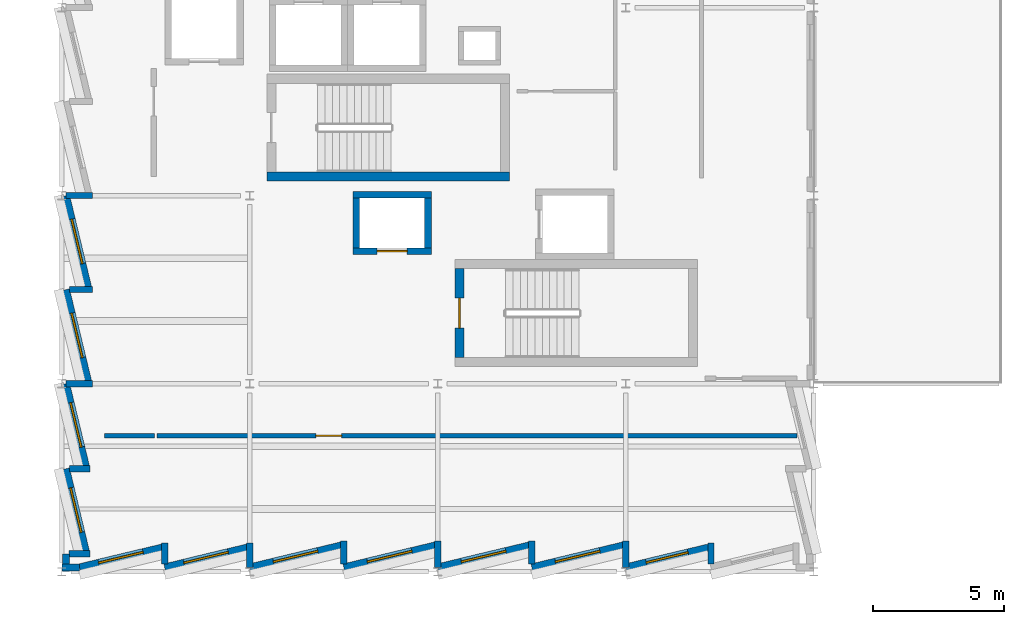
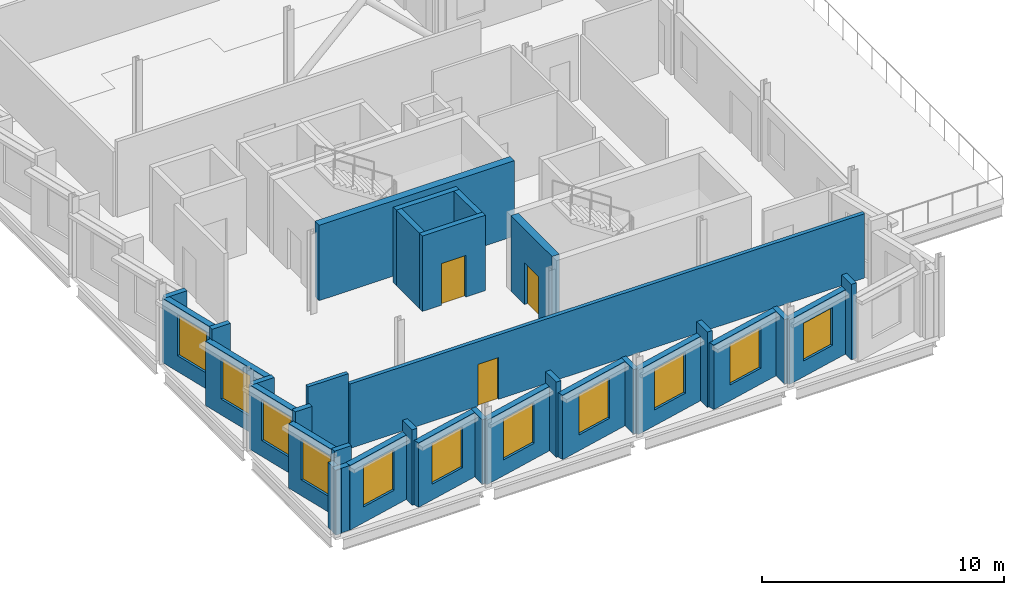
# One storey, part 12 of 18: 33 walls, 11 windows, 3 doors, 14 openings.
"""IFC4 building model written with IfcOpenShell, lengths in metres."""

from ifc_helpers import new_model, si_unit, direction, frame, frame_2d, origin, place, context, subcontext, project, spatial, rectangle, extrude, material, layer, layer_set, type_object, element, fill, save


model = new_model("IFC4")

# Units and contexts
model_context = context("Model", 3, precision=1e-05, world=origin(), true_north=direction((0.0, 1.0)))
body_context = subcontext(model_context, "Body", "Model", "MODEL_VIEW")
ifc_project = project(units=[si_unit("LENGTHUNIT", "METRE"), si_unit("AREAUNIT", "SQUARE_METRE"), si_unit("VOLUMEUNIT", "CUBIC_METRE"), si_unit("PLANEANGLEUNIT", "RADIAN"), si_unit("MASSUNIT", "GRAM", prefix="KILO")], contexts=[model_context])

# Site, building, storey
site_placement = place(None, origin())
site = spatial("IfcSite", under=ifc_project, at=site_placement, CompositionType="ELEMENT")
building_placement = place(site_placement, origin())
building = spatial("IfcBuilding", under=site, at=building_placement, Name="Kalmorath City Hall", CompositionType="ELEMENT")
storey_placement = place(building_placement, frame((0.0, 0.0, 27.0)))
storey = spatial("IfcBuildingStorey", under=building, at=storey_placement, Name="L06", CompositionType="ELEMENT", Elevation=27.0)

# Wall
ifc_material_1 = material(Name="Concrete C50/60", Category="concrete")
ifc_layer_1 = layer(ifc_material_1, 0.35009765625)
ifc_layer_set_1 = layer_set([ifc_layer_1], Name="Concrete C50/60")
wall_type_1 = type_object("IfcWallType", Name="Concrete core shear wall 350", PredefinedType="SHEAR", material=ifc_layer_set_1)
wall_1_placement = place(storey_placement, frame((7.85009765625, 15.125, 0.0), z_axis=(0.0, 0.0, 1.0), x_axis=(1.0, 0.0, 0.0)))
element("IfcWall", 1, at=wall_1_placement, inside=storey, type_object=wall_type_1, Name="L06 C1 stair core shear wall S", PredefinedType="SHEAR", context=body_context, shape_type="SweptSolid", body=[
    extrude(rectangle(XDim=9.2998046875, YDim=0.35009765625, at=frame_2d((4.64990234375, 0.0))), origin(), (0.0, 0.0, 1.0), 3.800048828125),
])

# Wall, opening, door
wall_2_placement = place(storey_placement, frame((15.22509765625, 11.60009765625, 0.0), z_axis=(0.0, 0.0, 1.0), x_axis=(0.0, -1.0, 0.0)))
wall_2 = element("IfcWall", 2, at=wall_2_placement, inside=storey, type_object=wall_type_1, Name="L06 C2 stair core shear wall W", PredefinedType="SHEAR", context=body_context, shape_type="SweptSolid", body=[
    extrude(rectangle(XDim=3.400146484375, YDim=0.35009765625, at=frame_2d((1.7001953125, 0.0))), origin(), (0.0, 0.0, 1.0), 3.800048828125),
])
opening_1_placement = place(wall_2_placement, frame((1.125, 0.0, 0.0)))
opening_1 = element("IfcOpeningElement", 3, at=opening_1_placement, cuts=wall_2, Name="Opening D-L06-044", PredefinedType="OPENING", context=body_context, shape_type="SweptSolid", body=[
    extrude(rectangle(XDim=1.14990234375, YDim=2.10009765625, at=frame_2d((0.574951171875, 1.050048828125))), frame((0.0, 0.18505859375, 0.0), z_axis=(0.0, -1.0, 0.0), x_axis=(1.0, 0.0, 0.0)), (0.0, 0.0, 1.0), 0.3701171875),
])
ifc_material_2 = material(Name="Galvanised steel fire door", Category="steel")
door_type_1 = type_object("IfcDoorType", Name="Stair enclosure 90-min fire door 1150x2100", OperationType="NOTDEFINED", PredefinedType="DOOR", material=ifc_material_2)
door_1_placement = place(opening_1_placement, frame((1.14990234375, 0.0, 0.0), z_axis=(0.0, 0.0, 1.0), x_axis=(-1.0, 0.0, 0.0)))
door_1 = element("IfcDoor", 4, at=door_1_placement, inside=storey, type_object=door_type_1, Name="L06 door D-L06-044", OperationType="SINGLE_SWING_RIGHT", OverallHeight=2.10009765625, OverallWidth=1.14990234375, PredefinedType="DOOR", context=body_context, shape_type="SweptSolid", body=[
    extrude(rectangle(XDim=1.14990234375, YDim=2.10009765625, at=frame_2d((0.574951171875, 1.050048828125))), frame((0.0, 0.02490234375, 0.0), z_axis=(0.0, -1.0, 0.0), x_axis=(1.0, 0.0, 0.0)), (0.0, 0.0, 1.0), 0.050048828125),
])
fill(opening_1, door_1)

ifc_material_3 = material(Name="Concrete C50/60", Category="concrete")
ifc_layer_2 = layer(ifc_material_3, 0.25)
ifc_layer_set_2 = layer_set([ifc_layer_2], Name="Concrete C50/60")
wall_type_2 = type_object("IfcWallType", Name="Concrete lift shaft wall 250", PredefinedType="SHEAR", material=ifc_layer_set_2)
wall_3_placement = place(storey_placement, frame((11.14990234375, 12.27490234375, 0.0), z_axis=(0.0, 0.0, 1.0), x_axis=(1.0, 0.0, 0.0)))
wall_3 = element("IfcWall", 5, at=wall_3_placement, inside=storey, type_object=wall_type_2, Name="L06 FL2 lift shaft wall -y", PredefinedType="SHEAR", context=body_context, shape_type="SweptSolid", body=[
    extrude(rectangle(XDim=3.0, YDim=0.25, at=frame_2d((1.5, 0.0))), origin(), (0.0, 0.0, 1.0), 3.800048828125),
])
opening_2_placement = place(wall_3_placement, frame((0.925048828125, 0.0, 0.0)))
opening_2 = element("IfcOpeningElement", 6, at=opening_2_placement, cuts=wall_3, Name="Opening LD-053", PredefinedType="OPENING", context=body_context, shape_type="SweptSolid", body=[
    extrude(rectangle(XDim=1.14990234375, YDim=2.10009765625, at=frame_2d((0.574951171875, 1.050048828125))), frame((0.0, 0.135009765625, 0.0), z_axis=(0.0, -1.0, 0.0), x_axis=(1.0, 0.0, 0.0)), (0.0, 0.0, 1.0), 0.27001953125),
])
ifc_material_4 = material(Name="Stainless steel sliding landing door", Category="steel")
door_type_2 = type_object("IfcDoorType", Name="Firefighting lift sliding landing door 1150x2100", OperationType="SLIDING_TO_RIGHT", PredefinedType="DOOR", material=ifc_material_4)
door_2_placement = place(opening_2_placement, origin())
door_2 = element("IfcDoor", 7, at=door_2_placement, inside=storey, type_object=door_type_2, Name="L06 door LD-053", OperationType="SLIDING_TO_RIGHT", OverallHeight=2.10009765625, OverallWidth=1.14990234375, PredefinedType="DOOR", context=body_context, shape_type="SweptSolid", body=[
    extrude(rectangle(XDim=1.14990234375, YDim=2.10009765625, at=frame_2d((0.574951171875, 1.050048828125))), frame((0.0, 0.02490234375, 0.0), z_axis=(0.0, -1.0, 0.0), x_axis=(1.0, 0.0, 0.0)), (0.0, 0.0, 1.0), 0.050048828125),
])
fill(opening_2, door_2)

# Walls
wall_4_placement = place(storey_placement, frame((14.14990234375, 14.425048828125, 0.0), z_axis=(0.0, 0.0, 1.0), x_axis=(-1.0, 0.0, 0.0)))
element("IfcWall", 8, at=wall_4_placement, inside=storey, type_object=wall_type_2, Name="L06 FL2 lift shaft wall +y", PredefinedType="SHEAR", context=body_context, shape_type="SweptSolid", body=[
    extrude(rectangle(XDim=3.0, YDim=0.25, at=frame_2d((1.5, 0.0))), origin(), (0.0, 0.0, 1.0), 3.800048828125),
])
for number, where, z_axis, x_axis, name in (
    (9, (11.27490234375, 14.300048828125, 0.0), (0.0, 0.0, 1.0), (0.0, -1.0, 0.0), "L06 FL2 lift shaft wall -x"),
    (10, (14.02490234375, 12.39990234375, 0.0), (0.0, 0.0, 1.0), (0.0, 1.0, 0.0), "L06 FL2 lift shaft wall +x"),
):
    element("IfcWall", number, at=place(storey_placement, frame(where, z_axis=z_axis, x_axis=x_axis)), inside=storey, type_object=wall_type_2, Name=name, PredefinedType="SHEAR", context=body_context, shape_type="SweptSolid", body=[
        extrude(rectangle(XDim=1.900146484375, YDim=0.25, at=frame_2d((0.9501953125, 0.0))), origin(), (0.0, 0.0, 1.0), 3.800048828125),
    ])
ifc_material_5 = material(Name="Fire-rated acoustic gypsum partition")
ifc_layer_3 = layer(ifc_material_5, 0.179931640625)
ifc_layer_set_3 = layer_set([ifc_layer_3], Name="Fire-rated acoustic gypsum partition")
wall_type_3 = type_object("IfcWallType", Name="One-hour corridor fire partition 180", PredefinedType="PARTITIONING", material=ifc_layer_set_3)
wall_5_placement = place(storey_placement, frame((1.639892578125, 5.199951171875, 0.0), z_axis=(0.0, 0.0, 1.0), x_axis=(1.0, 0.0, 0.0)))
element("IfcWall", 11, at=wall_5_placement, inside=storey, type_object=wall_type_3, Name="L06 interior partition PW2 #184", PredefinedType="PARTITIONING", context=body_context, shape_type="SweptSolid", body=[
    extrude(rectangle(XDim=1.920166015625, YDim=0.179931640625, at=frame_2d((0.9599609375, 0.0))), origin(), (0.0, 0.0, 1.0), 3.800048828125),
])

# Wall, opening, door
wall_6_placement = place(storey_placement, frame((3.639892578125, 5.199951171875, 0.0), z_axis=(0.0, 0.0, 1.0), x_axis=(1.0, 0.0, 0.0)))
wall_6 = element("IfcWall", 12, at=wall_6_placement, inside=storey, type_object=wall_type_3, Name="L06 interior partition PW2 #191", PredefinedType="PARTITIONING", context=body_context, shape_type="SweptSolid", body=[
    extrude(rectangle(XDim=24.52001953125, YDim=0.179931640625, at=frame_2d((12.260009765625, 0.0))), origin(), (0.0, 0.0, 1.0), 3.24609375),
])
opening_3_placement = place(wall_6_placement, frame((6.094970703125, 0.0, 0.0)))
opening_3 = element("IfcOpeningElement", 13, at=opening_3_placement, cuts=wall_6, Name="Opening D-L06-261", PredefinedType="OPENING", context=body_context, shape_type="SweptSolid", body=[
    extrude(rectangle(XDim=0.97998046875, YDim=2.10009765625, at=frame_2d((0.489990234375, 1.050048828125))), frame((0.0, 0.099853515625, 0.0), z_axis=(0.0, -1.0, 0.0), x_axis=(1.0, 0.0, 0.0)), (0.0, 0.0, 1.0), 0.199951171875),
])
ifc_material_6 = material(Name="Hardwood veneer door", Category="wood")
door_type_3 = type_object("IfcDoorType", Name="Municipal suite single door 980x2100", OperationType="NOTDEFINED", PredefinedType="DOOR", material=ifc_material_6)
door_3_placement = place(opening_3_placement, origin())
door_3 = element("IfcDoor", 14, at=door_3_placement, inside=storey, type_object=door_type_3, Name="L06 door D-L06-261", OperationType="SINGLE_SWING_LEFT", OverallHeight=2.10009765625, OverallWidth=0.97998046875, PredefinedType="DOOR", context=body_context, shape_type="SweptSolid", body=[
    extrude(rectangle(XDim=0.97998046875, YDim=2.10009765625, at=frame_2d((0.489990234375, 1.050048828125))), frame((0.0, 0.02490234375, 0.0), z_axis=(0.0, -1.0, 0.0), x_axis=(1.0, 0.0, 0.0)), (0.0, 0.0, 1.0), 0.050048828125),
])
fill(opening_3, door_3)

# Walls
ifc_material_7 = material(Name="Precast concrete C40/50", Category="concrete")
ifc_layer_4 = layer(ifc_material_7, 0.239990234375)
ifc_layer_set_4 = layer_set([ifc_layer_4], Name="Precast concrete C40/50")
wall_type_4 = type_object("IfcWallType", Name="Precast sawtooth cheek wall 240", PredefinedType="SOLIDWALL", material=ifc_layer_set_4)
wall_7_placement = place(storey_placement, frame((3.93994140625, 1.087646484375, 0.0), z_axis=(0.0, 0.0, 1.0), x_axis=(0.0, -1.0, 0.0)))
element("IfcWall", 15, at=wall_7_placement, inside=storey, type_object=wall_type_4, Name="L06 sawtooth return cheek #961", PredefinedType="SOLIDWALL", context=body_context, shape_type="SweptSolid", body=[
    extrude(rectangle(XDim=0.795654296875, YDim=0.239990234375, at=frame_2d((0.39794921875, 0.0))), origin(), (0.0, 0.0, 1.0), 3.800048828125),
])
wall_8_placement = place(storey_placement, frame((7.199951171875, 1.087646484375, 0.0), z_axis=(0.0, 0.0, 1.0), x_axis=(0.0, -1.0, 0.0)))
element("IfcWall", 16, at=wall_8_placement, inside=storey, type_object=wall_type_4, Name="L06 sawtooth return cheek #963", PredefinedType="SOLIDWALL", context=body_context, shape_type="SweptSolid", body=[
    extrude(rectangle(XDim=0.931640625, YDim=0.239990234375, at=frame_2d((0.4658203125, 0.0))), origin(), (0.0, 0.0, 1.0), 3.24609375),
])
wall_9_placement = place(storey_placement, frame((10.800048828125, 1.169189453125, 0.0), z_axis=(0.0, 0.0, 1.0), x_axis=(0.0, -1.0, 0.0)))
element("IfcWall", 17, at=wall_9_placement, inside=storey, type_object=wall_type_4, Name="L06 sawtooth return cheek #965", PredefinedType="SOLIDWALL", context=body_context, shape_type="SweptSolid", body=[
    extrude(rectangle(XDim=0.877197265625, YDim=0.239990234375, at=frame_2d((0.4384765625, 0.0))), origin(), (0.0, 0.0, 1.0), 3.800048828125),
])
wall_10_placement = place(storey_placement, frame((14.39990234375, 1.169189453125, 0.0), z_axis=(0.0, 0.0, 1.0), x_axis=(0.0, -1.0, 0.0)))
element("IfcWall", 18, at=wall_10_placement, inside=storey, type_object=wall_type_4, Name="L06 sawtooth return cheek #967", PredefinedType="SOLIDWALL", context=body_context, shape_type="SweptSolid", body=[
    extrude(rectangle(XDim=1.01318359375, YDim=0.239990234375, at=frame_2d((0.506591796875, 0.0))), origin(), (0.0, 0.0, 1.0), 3.24609375),
])
wall_11_placement = place(storey_placement, frame((18.0, 1.169189453125, 0.0), z_axis=(0.0, 0.0, 1.0), x_axis=(0.0, -1.0, 0.0)))
element("IfcWall", 19, at=wall_11_placement, inside=storey, type_object=wall_type_4, Name="L06 sawtooth return cheek #969", PredefinedType="SOLIDWALL", context=body_context, shape_type="SweptSolid", body=[
    extrude(rectangle(XDim=0.877197265625, YDim=0.239990234375, at=frame_2d((0.4384765625, 0.0))), origin(), (0.0, 0.0, 1.0), 3.800048828125),
])
wall_12_placement = place(storey_placement, frame((21.60009765625, 1.169189453125, 0.0), z_axis=(0.0, 0.0, 1.0), x_axis=(0.0, -1.0, 0.0)))
element("IfcWall", 20, at=wall_12_placement, inside=storey, type_object=wall_type_4, Name="L06 sawtooth return cheek #971", PredefinedType="SOLIDWALL", context=body_context, shape_type="SweptSolid", body=[
    extrude(rectangle(XDim=1.01318359375, YDim=0.239990234375, at=frame_2d((0.506591796875, 0.0))), origin(), (0.0, 0.0, 1.0), 3.24609375),
])
wall_13_placement = place(storey_placement, frame((24.860107421875, 1.087646484375, 0.0), z_axis=(0.0, 0.0, 1.0), x_axis=(0.0, -1.0, 0.0)))
element("IfcWall", 21, at=wall_13_placement, inside=storey, type_object=wall_type_4, Name="L06 sawtooth return cheek #974", PredefinedType="SOLIDWALL", context=body_context, shape_type="SweptSolid", body=[
    extrude(rectangle(XDim=0.795654296875, YDim=0.239990234375, at=frame_2d((0.39794921875, 0.0))), origin(), (0.0, 0.0, 1.0), 3.800048828125),
])
wall_14_placement = place(storey_placement, frame((1.169189453125, 14.39990234375, 0.0), z_axis=(0.0, 0.0, 1.0), x_axis=(-1.0, 0.0, 0.0)))
element("IfcWall", 22, at=wall_14_placement, inside=storey, type_object=wall_type_4, Name="L06 sawtooth return cheek #1038", PredefinedType="SOLIDWALL", context=body_context, shape_type="SweptSolid", body=[
    extrude(rectangle(XDim=1.0146484375, YDim=0.239990234375, at=frame_2d((0.50732421875, 0.0))), origin(), (0.0, 0.0, 1.0), 3.24609375),
])
wall_15_placement = place(storey_placement, frame((1.169189453125, 10.800048828125, 0.0), z_axis=(0.0, 0.0, 1.0), x_axis=(-1.0, 0.0, 0.0)))
element("IfcWall", 23, at=wall_15_placement, inside=storey, type_object=wall_type_4, Name="L06 sawtooth return cheek #1040", PredefinedType="SOLIDWALL", context=body_context, shape_type="SweptSolid", body=[
    extrude(rectangle(XDim=0.877197265625, YDim=0.239990234375, at=frame_2d((0.4384765625, 0.0))), origin(), (0.0, 0.0, 1.0), 3.800048828125),
])
wall_16_placement = place(storey_placement, frame((1.169189453125, 7.199951171875, 0.0), z_axis=(0.0, 0.0, 1.0), x_axis=(-1.0, 0.0, 0.0)))
element("IfcWall", 24, at=wall_16_placement, inside=storey, type_object=wall_type_4, Name="L06 sawtooth return cheek #1042", PredefinedType="SOLIDWALL", context=body_context, shape_type="SweptSolid", body=[
    extrude(rectangle(XDim=1.0146484375, YDim=0.239990234375, at=frame_2d((0.50732421875, 0.0))), origin(), (0.0, 0.0, 1.0), 3.24609375),
])
wall_17_placement = place(storey_placement, frame((1.087646484375, 3.93994140625, 0.0), z_axis=(0.0, 0.0, 1.0), x_axis=(-1.0, 0.0, 0.0)))
element("IfcWall", 25, at=wall_17_placement, inside=storey, type_object=wall_type_4, Name="L06 sawtooth return cheek #1045", PredefinedType="SOLIDWALL", context=body_context, shape_type="SweptSolid", body=[
    extrude(rectangle(XDim=0.795654296875, YDim=0.239990234375, at=frame_2d((0.39794921875, 0.0))), origin(), (0.0, 0.0, 1.0), 3.800048828125),
])
wall_18_placement = place(storey_placement, frame((1.087646484375, 0.679931640625, 0.0), z_axis=(0.0, 0.0, 1.0), x_axis=(-1.0, 0.0, 0.0)))
element("IfcWall", 26, at=wall_18_placement, inside=storey, type_object=wall_type_4, Name="L06 sawtooth return cheek #1047", PredefinedType="SOLIDWALL", context=body_context, shape_type="SweptSolid", body=[
    extrude(rectangle(XDim=0.8056640625, YDim=0.239990234375, at=frame_2d((0.40283203125, 0.0))), origin(), (0.0, 0.0, 1.0), 3.800048828125),
])

# Wall, opening, window
ifc_material_8 = material(Name="Precast concrete C40/50", Category="concrete")
ifc_layer_5 = layer(ifc_material_8, 0.280029296875)
ifc_layer_set_5 = layer_set([ifc_layer_5], Name="Precast concrete C40/50")
wall_type_5 = type_object("IfcWallType", Name="Precast sawtooth facade wall 280", PredefinedType="SOLIDWALL", material=ifc_layer_set_5)
wall_19_placement = place(storey_placement, frame((0.679931640625, 0.159912109375, 0.0), z_axis=(0.0, 0.0, 1.0), x_axis=(0.972370292931, 0.233443812137, 0.0)))
wall_19 = element("IfcWall", 27, at=wall_19_placement, inside=storey, type_object=wall_type_5, Name="L06 sawtooth precast frame #960", PredefinedType="SOLIDWALL", context=body_context, shape_type="SweptSolid", body=[
    extrude(rectangle(XDim=3.2578125, YDim=0.280029296875, at=frame_2d((1.62890625, 0.0))), origin(), (0.0, 0.0, 1.0), 3.256103515625),
])
opening_4_placement = place(wall_19_placement, frame((0.75390625, 0.0, 0.800048828125)))
opening_4 = element("IfcOpeningElement", 28, at=opening_4_placement, cuts=wall_19, Name="Opening WN1", PredefinedType="OPENING", context=body_context, shape_type="SweptSolid", body=[
    extrude(rectangle(XDim=1.75, YDim=2.050048828125, at=frame_2d((0.875, 1.02490234375))), frame((0.0, 0.14990234375, 0.0), z_axis=(0.0, -1.0, 0.0), x_axis=(1.0, 0.0, 0.0)), (0.0, 0.0, 1.0), 0.300048828125),
])
ifc_material_9 = material(Name="Aluminium and laminated glass", Category="aluminium")
window_type_1 = type_object("IfcWindowType", Name="Sawtooth hurricane window 1750x2050", PartitioningType="SINGLE_PANEL", PredefinedType="WINDOW", material=ifc_material_9)
window_1_placement = place(opening_4_placement, origin())
window_1 = element("IfcWindow", 29, at=window_1_placement, inside=storey, type_object=window_type_1, Name="L06 window WN1-493", OverallHeight=2.050048828125, OverallWidth=1.75, PartitioningType="SINGLE_PANEL", PredefinedType="WINDOW", context=body_context, shape_type="SweptSolid", body=[
    extrude(rectangle(XDim=1.75, YDim=2.050048828125, at=frame_2d((0.875, 1.02490234375))), frame((0.0, 0.030029296875, 0.0), z_axis=(0.0, -1.0, 0.0), x_axis=(1.0, 0.0, 0.0)), (0.0, 0.0, 1.0), 0.06005859375),
])
fill(opening_4, window_1)

wall_20_placement = place(storey_placement, frame((3.93994140625, 0.159912109375, 0.0), z_axis=(0.0, 0.0, 1.0), x_axis=(0.972370292931, 0.233443812137, 0.0)))
wall_20 = element("IfcWall", 30, at=wall_20_placement, inside=storey, type_object=wall_type_5, Name="L06 sawtooth precast frame #962", PredefinedType="SOLIDWALL", context=body_context, shape_type="SweptSolid", body=[
    extrude(rectangle(XDim=3.2578125, YDim=0.280029296875, at=frame_2d((1.62890625, 0.0))), origin(), (0.0, 0.0, 1.0), 3.24609375),
])
opening_5_placement = place(wall_20_placement, frame((0.75390625, 0.0, 0.800048828125)))
opening_5 = element("IfcOpeningElement", 31, at=opening_5_placement, cuts=wall_20, Name="Opening WN1", PredefinedType="OPENING", context=body_context, shape_type="SweptSolid", body=[
    extrude(rectangle(XDim=1.75, YDim=2.050048828125, at=frame_2d((0.875, 1.02490234375))), frame((0.0, 0.14990234375, 0.0), z_axis=(0.0, -1.0, 0.0), x_axis=(1.0, 0.0, 0.0)), (0.0, 0.0, 1.0), 0.300048828125),
])
window_2_placement = place(opening_5_placement, origin())
window_2 = element("IfcWindow", 32, at=window_2_placement, inside=storey, type_object=window_type_1, Name="L06 window WN1-494", OverallHeight=2.050048828125, OverallWidth=1.75, PartitioningType="SINGLE_PANEL", PredefinedType="WINDOW", context=body_context, shape_type="SweptSolid", body=[
    extrude(rectangle(XDim=1.75, YDim=2.050048828125, at=frame_2d((0.875, 1.02490234375))), frame((0.0, 0.030029296875, 0.0), z_axis=(0.0, -1.0, 0.0), x_axis=(1.0, 0.0, 0.0)), (0.0, 0.0, 1.0), 0.06005859375),
])
fill(opening_5, window_2)

wall_21_placement = place(storey_placement, frame((7.199951171875, 0.159912109375, 0.0), z_axis=(0.0, 0.0, 1.0), x_axis=(0.972357805829, 0.233495818898, 0.0)))
wall_21 = element("IfcWall", 33, at=wall_21_placement, inside=storey, type_object=wall_type_5, Name="L06 sawtooth precast frame #964", PredefinedType="SOLIDWALL", context=body_context, shape_type="SweptSolid", body=[
    extrude(rectangle(XDim=3.607177734375, YDim=0.280029296875, at=frame_2d((1.8037109375, 0.0))), origin(), (0.0, 0.0, 1.0), 3.24609375),
])
opening_6_placement = place(wall_21_placement, frame((0.9287109375, 0.0, 0.800048828125)))
opening_6 = element("IfcOpeningElement", 34, at=opening_6_placement, cuts=wall_21, Name="Opening WN1", PredefinedType="OPENING", context=body_context, shape_type="SweptSolid", body=[
    extrude(rectangle(XDim=1.75, YDim=2.050048828125, at=frame_2d((0.875, 1.02490234375))), frame((0.0, 0.14990234375, 0.0), z_axis=(0.0, -1.0, 0.0), x_axis=(1.0, 0.0, 0.0)), (0.0, 0.0, 1.0), 0.300048828125),
])
window_3_placement = place(opening_6_placement, origin())
window_3 = element("IfcWindow", 35, at=window_3_placement, inside=storey, type_object=window_type_1, Name="L06 window WN1-495", OverallHeight=2.050048828125, OverallWidth=1.75, PartitioningType="SINGLE_PANEL", PredefinedType="WINDOW", context=body_context, shape_type="SweptSolid", body=[
    extrude(rectangle(XDim=1.75, YDim=2.050048828125, at=frame_2d((0.875, 1.02490234375))), frame((0.0, 0.030029296875, 0.0), z_axis=(0.0, -1.0, 0.0), x_axis=(1.0, 0.0, 0.0)), (0.0, 0.0, 1.0), 0.06005859375),
])
fill(opening_6, window_3)

wall_22_placement = place(storey_placement, frame((10.800048828125, 0.159912109375, 0.0), z_axis=(0.0, 0.0, 1.0), x_axis=(0.972357805829, 0.233495818898, 0.0)))
wall_22 = element("IfcWall", 36, at=wall_22_placement, inside=storey, type_object=wall_type_5, Name="L06 sawtooth precast frame #966", PredefinedType="SOLIDWALL", context=body_context, shape_type="SweptSolid", body=[
    extrude(rectangle(XDim=3.607177734375, YDim=0.280029296875, at=frame_2d((1.8037109375, 0.0))), origin(), (0.0, 0.0, 1.0), 3.24609375),
])
opening_7_placement = place(wall_22_placement, frame((0.9287109375, 0.0, 0.800048828125)))
opening_7 = element("IfcOpeningElement", 37, at=opening_7_placement, cuts=wall_22, Name="Opening WN1", PredefinedType="OPENING", context=body_context, shape_type="SweptSolid", body=[
    extrude(rectangle(XDim=1.75, YDim=2.050048828125, at=frame_2d((0.875, 1.02490234375))), frame((0.0, 0.14990234375, 0.0), z_axis=(0.0, -1.0, 0.0), x_axis=(1.0, 0.0, 0.0)), (0.0, 0.0, 1.0), 0.300048828125),
])
window_4_placement = place(opening_7_placement, origin())
window_4 = element("IfcWindow", 38, at=window_4_placement, inside=storey, type_object=window_type_1, Name="L06 window WN1-496", OverallHeight=2.050048828125, OverallWidth=1.75, PartitioningType="SINGLE_PANEL", PredefinedType="WINDOW", context=body_context, shape_type="SweptSolid", body=[
    extrude(rectangle(XDim=1.75, YDim=2.050048828125, at=frame_2d((0.875, 1.02490234375))), frame((0.0, 0.030029296875, 0.0), z_axis=(0.0, -1.0, 0.0), x_axis=(1.0, 0.0, 0.0)), (0.0, 0.0, 1.0), 0.06005859375),
])
fill(opening_7, window_4)

wall_23_placement = place(storey_placement, frame((14.39990234375, 0.159912109375, 0.0), z_axis=(0.0, 0.0, 1.0), x_axis=(0.972361495396, 0.233480453725, 0.0)))
wall_23 = element("IfcWall", 39, at=wall_23_placement, inside=storey, type_object=wall_type_5, Name="L06 sawtooth precast frame #968", PredefinedType="SOLIDWALL", context=body_context, shape_type="SweptSolid", body=[
    extrude(rectangle(XDim=3.607421875, YDim=0.280029296875, at=frame_2d((1.8037109375, 0.0))), origin(), (0.0, 0.0, 1.0), 3.24609375),
])
opening_8_placement = place(wall_23_placement, frame((0.9287109375, 0.0, 0.800048828125)))
opening_8 = element("IfcOpeningElement", 40, at=opening_8_placement, cuts=wall_23, Name="Opening WN1", PredefinedType="OPENING", context=body_context, shape_type="SweptSolid", body=[
    extrude(rectangle(XDim=1.75, YDim=2.050048828125, at=frame_2d((0.875, 1.02490234375))), frame((0.0, 0.14990234375, 0.0), z_axis=(0.0, -1.0, 0.0), x_axis=(1.0, 0.0, 0.0)), (0.0, 0.0, 1.0), 0.300048828125),
])
window_5_placement = place(opening_8_placement, origin())
window_5 = element("IfcWindow", 41, at=window_5_placement, inside=storey, type_object=window_type_1, Name="L06 window WN1-497", OverallHeight=2.050048828125, OverallWidth=1.75, PartitioningType="SINGLE_PANEL", PredefinedType="WINDOW", context=body_context, shape_type="SweptSolid", body=[
    extrude(rectangle(XDim=1.75, YDim=2.050048828125, at=frame_2d((0.875, 1.02490234375))), frame((0.0, 0.030029296875, 0.0), z_axis=(0.0, -1.0, 0.0), x_axis=(1.0, 0.0, 0.0)), (0.0, 0.0, 1.0), 0.06005859375),
])
fill(opening_8, window_5)

wall_24_placement = place(storey_placement, frame((18.0, 0.159912109375, 0.0), z_axis=(0.0, 0.0, 1.0), x_axis=(0.972357805829, 0.233495818898, 0.0)))
wall_24 = element("IfcWall", 42, at=wall_24_placement, inside=storey, type_object=wall_type_5, Name="L06 sawtooth precast frame #970", PredefinedType="SOLIDWALL", context=body_context, shape_type="SweptSolid", body=[
    extrude(rectangle(XDim=3.607177734375, YDim=0.280029296875, at=frame_2d((1.8037109375, 0.0))), origin(), (0.0, 0.0, 1.0), 3.24609375),
])
opening_9_placement = place(wall_24_placement, frame((0.9287109375, 0.0, 0.800048828125)))
opening_9 = element("IfcOpeningElement", 43, at=opening_9_placement, cuts=wall_24, Name="Opening WN1", PredefinedType="OPENING", context=body_context, shape_type="SweptSolid", body=[
    extrude(rectangle(XDim=1.75, YDim=2.050048828125, at=frame_2d((0.875, 1.02490234375))), frame((0.0, 0.14990234375, 0.0), z_axis=(0.0, -1.0, 0.0), x_axis=(1.0, 0.0, 0.0)), (0.0, 0.0, 1.0), 0.300048828125),
])
window_6_placement = place(opening_9_placement, origin())
window_6 = element("IfcWindow", 44, at=window_6_placement, inside=storey, type_object=window_type_1, Name="L06 window WN1-498", OverallHeight=2.050048828125, OverallWidth=1.75, PartitioningType="SINGLE_PANEL", PredefinedType="WINDOW", context=body_context, shape_type="SweptSolid", body=[
    extrude(rectangle(XDim=1.75, YDim=2.050048828125, at=frame_2d((0.875, 1.02490234375))), frame((0.0, 0.030029296875, 0.0), z_axis=(0.0, -1.0, 0.0), x_axis=(1.0, 0.0, 0.0)), (0.0, 0.0, 1.0), 0.06005859375),
])
fill(opening_9, window_6)

wall_25_placement = place(storey_placement, frame((21.60009765625, 0.159912109375, 0.0), z_axis=(0.0, 0.0, 1.0), x_axis=(0.972366208453, 0.233460824675, 0.0)))
wall_25 = element("IfcWall", 45, at=wall_25_placement, inside=storey, type_object=wall_type_5, Name="L06 sawtooth precast frame #973", PredefinedType="SOLIDWALL", context=body_context, shape_type="SweptSolid", body=[
    extrude(rectangle(XDim=3.257568359375, YDim=0.280029296875, at=frame_2d((1.62890625, 0.0))), origin(), (0.0, 0.0, 1.0), 3.24609375),
])
opening_10_placement = place(wall_25_placement, frame((0.8037109375, 0.0, 0.800048828125)))
opening_10 = element("IfcOpeningElement", 46, at=opening_10_placement, cuts=wall_25, Name="Opening WN2", PredefinedType="OPENING", context=body_context, shape_type="SweptSolid", body=[
    extrude(rectangle(XDim=1.64990234375, YDim=1.89990234375, at=frame_2d((0.824951171875, 0.949951171875))), frame((0.0, 0.14990234375, 0.0), z_axis=(0.0, -1.0, 0.0), x_axis=(1.0, 0.0, 0.0)), (0.0, 0.0, 1.0), 0.300048828125),
])
ifc_material_10 = material(Name="Aluminium and laminated glass", Category="aluminium")
window_type_2 = type_object("IfcWindowType", Name="Sawtooth hurricane window 1650x1900", PartitioningType="SINGLE_PANEL", PredefinedType="WINDOW", material=ifc_material_10)
window_7_placement = place(opening_10_placement, origin())
window_7 = element("IfcWindow", 47, at=window_7_placement, inside=storey, type_object=window_type_2, Name="L06 window WN2-499", OverallHeight=1.89990234375, OverallWidth=1.64990234375, PartitioningType="SINGLE_PANEL", PredefinedType="WINDOW", context=body_context, shape_type="SweptSolid", body=[
    extrude(rectangle(XDim=1.64990234375, YDim=1.89990234375, at=frame_2d((0.824951171875, 0.949951171875))), frame((0.0, 0.030029296875, 0.0), z_axis=(0.0, -1.0, 0.0), x_axis=(1.0, 0.0, 0.0)), (0.0, 0.0, 1.0), 0.06005859375),
])
fill(opening_10, window_7)

wall_26_placement = place(storey_placement, frame((0.159912109375, 14.39990234375, 0.0), z_axis=(0.0, 0.0, 1.0), x_axis=(0.233495818898, -0.972357805829, 0.0)))
wall_26 = element("IfcWall", 48, at=wall_26_placement, inside=storey, type_object=wall_type_5, Name="L06 sawtooth precast frame #1039", PredefinedType="SOLIDWALL", context=body_context, shape_type="SweptSolid", body=[
    extrude(rectangle(XDim=3.607177734375, YDim=0.280029296875, at=frame_2d((1.8037109375, 0.0))), origin(), (0.0, 0.0, 1.0), 3.24609375),
])
opening_11_placement = place(wall_26_placement, frame((0.9287109375, 0.0, 0.800048828125)))
opening_11 = element("IfcOpeningElement", 49, at=opening_11_placement, cuts=wall_26, Name="Opening WN1", PredefinedType="OPENING", context=body_context, shape_type="SweptSolid", body=[
    extrude(rectangle(XDim=1.75, YDim=2.050048828125, at=frame_2d((0.875, 1.02490234375))), frame((0.0, 0.14990234375, 0.0), z_axis=(0.0, -1.0, 0.0), x_axis=(1.0, 0.0, 0.0)), (0.0, 0.0, 1.0), 0.300048828125),
])
window_8_placement = place(opening_11_placement, origin())
window_8 = element("IfcWindow", 50, at=window_8_placement, inside=storey, type_object=window_type_1, Name="L06 window WN1-532", OverallHeight=2.050048828125, OverallWidth=1.75, PartitioningType="SINGLE_PANEL", PredefinedType="WINDOW", context=body_context, shape_type="SweptSolid", body=[
    extrude(rectangle(XDim=1.75, YDim=2.050048828125, at=frame_2d((0.875, 1.02490234375))), frame((0.0, 0.030029296875, 0.0), z_axis=(0.0, -1.0, 0.0), x_axis=(1.0, 0.0, 0.0)), (0.0, 0.0, 1.0), 0.06005859375),
])
fill(opening_11, window_8)

wall_27_placement = place(storey_placement, frame((0.159912109375, 10.800048828125, 0.0), z_axis=(0.0, 0.0, 1.0), x_axis=(0.233495818898, -0.972357805829, 0.0)))
wall_27 = element("IfcWall", 51, at=wall_27_placement, inside=storey, type_object=wall_type_5, Name="L06 sawtooth precast frame #1041", PredefinedType="SOLIDWALL", context=body_context, shape_type="SweptSolid", body=[
    extrude(rectangle(XDim=3.607177734375, YDim=0.280029296875, at=frame_2d((1.8037109375, 0.0))), origin(), (0.0, 0.0, 1.0), 3.24609375),
])
opening_12_placement = place(wall_27_placement, frame((0.9287109375, 0.0, 0.800048828125)))
opening_12 = element("IfcOpeningElement", 52, at=opening_12_placement, cuts=wall_27, Name="Opening WN1", PredefinedType="OPENING", context=body_context, shape_type="SweptSolid", body=[
    extrude(rectangle(XDim=1.75, YDim=2.050048828125, at=frame_2d((0.875, 1.02490234375))), frame((0.0, 0.14990234375, 0.0), z_axis=(0.0, -1.0, 0.0), x_axis=(1.0, 0.0, 0.0)), (0.0, 0.0, 1.0), 0.300048828125),
])
window_9_placement = place(opening_12_placement, origin())
window_9 = element("IfcWindow", 53, at=window_9_placement, inside=storey, type_object=window_type_1, Name="L06 window WN1-533", OverallHeight=2.050048828125, OverallWidth=1.75, PartitioningType="SINGLE_PANEL", PredefinedType="WINDOW", context=body_context, shape_type="SweptSolid", body=[
    extrude(rectangle(XDim=1.75, YDim=2.050048828125, at=frame_2d((0.875, 1.02490234375))), frame((0.0, 0.030029296875, 0.0), z_axis=(0.0, -1.0, 0.0), x_axis=(1.0, 0.0, 0.0)), (0.0, 0.0, 1.0), 0.06005859375),
])
fill(opening_12, window_9)

wall_28_placement = place(storey_placement, frame((0.159912109375, 7.199951171875, 0.0), z_axis=(0.0, 0.0, 1.0), x_axis=(0.233460824675, -0.972366208453, 0.0)))
wall_28 = element("IfcWall", 54, at=wall_28_placement, inside=storey, type_object=wall_type_5, Name="L06 sawtooth precast frame #1044", PredefinedType="SOLIDWALL", context=body_context, shape_type="SweptSolid", body=[
    extrude(rectangle(XDim=3.257568359375, YDim=0.280029296875, at=frame_2d((1.62890625, 0.0))), origin(), (0.0, 0.0, 1.0), 3.24609375),
])
opening_13_placement = place(wall_28_placement, frame((0.75390625, 0.0, 0.800048828125)))
opening_13 = element("IfcOpeningElement", 55, at=opening_13_placement, cuts=wall_28, Name="Opening WN1", PredefinedType="OPENING", context=body_context, shape_type="SweptSolid", body=[
    extrude(rectangle(XDim=1.75, YDim=2.050048828125, at=frame_2d((0.875, 1.02490234375))), frame((0.0, 0.14990234375, 0.0), z_axis=(0.0, -1.0, 0.0), x_axis=(1.0, 0.0, 0.0)), (0.0, 0.0, 1.0), 0.300048828125),
])
window_10_placement = place(opening_13_placement, origin())
window_10 = element("IfcWindow", 56, at=window_10_placement, inside=storey, type_object=window_type_1, Name="L06 window WN1-534", OverallHeight=2.050048828125, OverallWidth=1.75, PartitioningType="SINGLE_PANEL", PredefinedType="WINDOW", context=body_context, shape_type="SweptSolid", body=[
    extrude(rectangle(XDim=1.75, YDim=2.050048828125, at=frame_2d((0.875, 1.02490234375))), frame((0.0, 0.030029296875, 0.0), z_axis=(0.0, -1.0, 0.0), x_axis=(1.0, 0.0, 0.0)), (0.0, 0.0, 1.0), 0.06005859375),
])
fill(opening_13, window_10)

wall_29_placement = place(storey_placement, frame((0.159912109375, 3.93994140625, 0.0), z_axis=(0.0, 0.0, 1.0), x_axis=(0.233460824675, -0.972366208453, 0.0)))
wall_29 = element("IfcWall", 57, at=wall_29_placement, inside=storey, type_object=wall_type_5, Name="L06 sawtooth precast frame #1046", PredefinedType="SOLIDWALL", context=body_context, shape_type="SweptSolid", body=[
    extrude(rectangle(XDim=3.257568359375, YDim=0.280029296875, at=frame_2d((1.62890625, 0.0))), origin(), (0.0, 0.0, 1.0), 3.256103515625),
])
opening_14_placement = place(wall_29_placement, frame((0.75390625, 0.0, 0.800048828125)))
opening_14 = element("IfcOpeningElement", 58, at=opening_14_placement, cuts=wall_29, Name="Opening WN1", PredefinedType="OPENING", context=body_context, shape_type="SweptSolid", body=[
    extrude(rectangle(XDim=1.75, YDim=2.050048828125, at=frame_2d((0.875, 1.02490234375))), frame((0.0, 0.14990234375, 0.0), z_axis=(0.0, -1.0, 0.0), x_axis=(1.0, 0.0, 0.0)), (0.0, 0.0, 1.0), 0.300048828125),
])
window_11_placement = place(opening_14_placement, origin())
window_11 = element("IfcWindow", 59, at=window_11_placement, inside=storey, type_object=window_type_1, Name="L06 window WN1-535", OverallHeight=2.050048828125, OverallWidth=1.75, PartitioningType="SINGLE_PANEL", PredefinedType="WINDOW", context=body_context, shape_type="SweptSolid", body=[
    extrude(rectangle(XDim=1.75, YDim=2.050048828125, at=frame_2d((0.875, 1.02490234375))), frame((0.0, 0.030029296875, 0.0), z_axis=(0.0, -1.0, 0.0), x_axis=(1.0, 0.0, 0.0)), (0.0, 0.0, 1.0), 0.06005859375),
])
fill(opening_14, window_11)

# Walls
ifc_material_11 = material(Name="Precast concrete C40/50", Category="concrete")
ifc_layer_6 = layer(ifc_material_11, 0.260009765625)
ifc_layer_set_6 = layer_set([ifc_layer_6], Name="Precast concrete C40/50")
wall_type_6 = type_object("IfcWallType", Name="Precast sawtooth return wall 260", PredefinedType="SOLIDWALL", material=ifc_layer_set_6)
for number, where, z_axis, x_axis, name in (
    (60, (0.0, 0.159912109375, 0.0), (0.0, 0.0, 1.0), (1.0, 0.0, 0.0), "L06 corner pier wall #959"),
    (61, (0.159912109375, 0.679931640625, 0.0), (0.0, 0.0, 1.0), (0.0, -1.0, 0.0), "L06 corner pier wall #1043"),
):
    element("IfcWall", number, at=place(storey_placement, frame(where, z_axis=z_axis, x_axis=x_axis)), inside=storey, type_object=wall_type_6, Name=name, PredefinedType="SOLIDWALL", context=body_context, shape_type="SweptSolid", body=[
        extrude(rectangle(XDim=0.679931640625, YDim=0.260009765625, at=frame_2d((0.33984375, 0.0))), origin(), (0.0, 0.0, 1.0), 3.256103515625),
    ])

save(model, "model.ifc")
